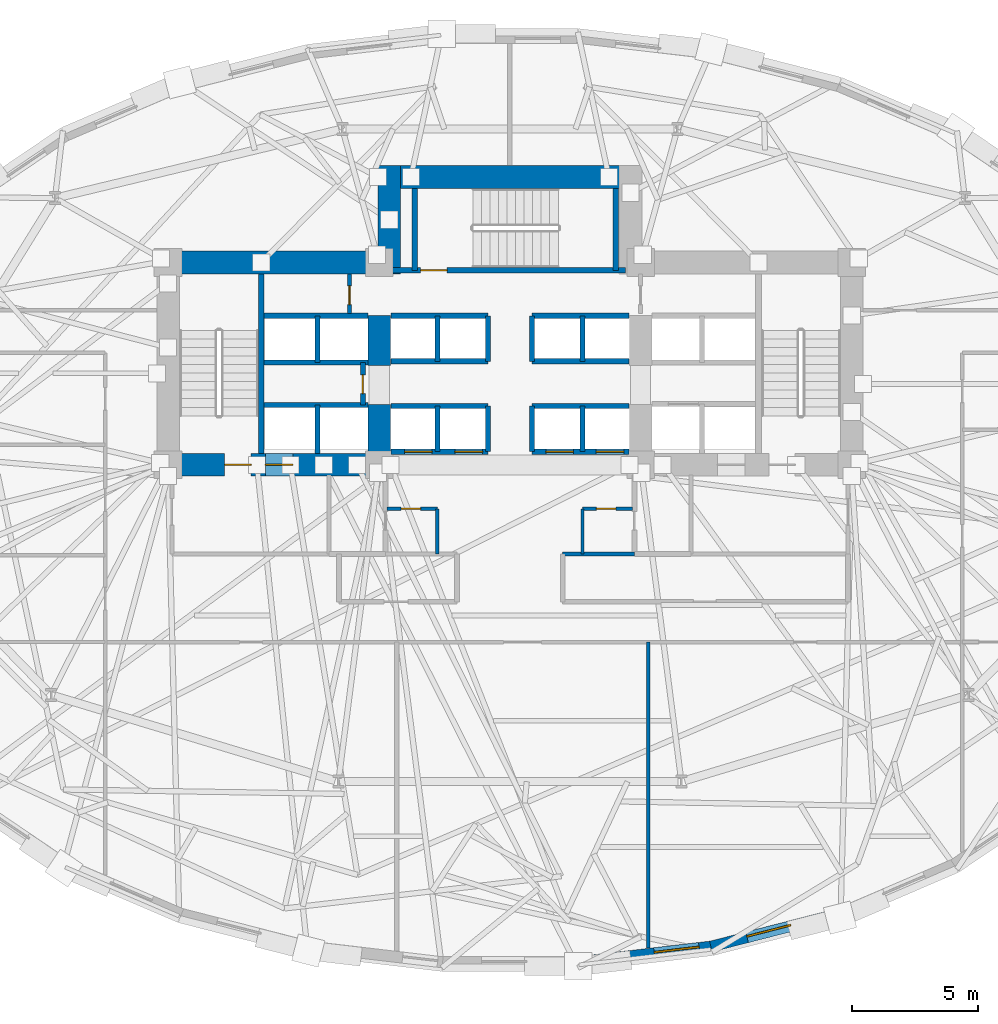
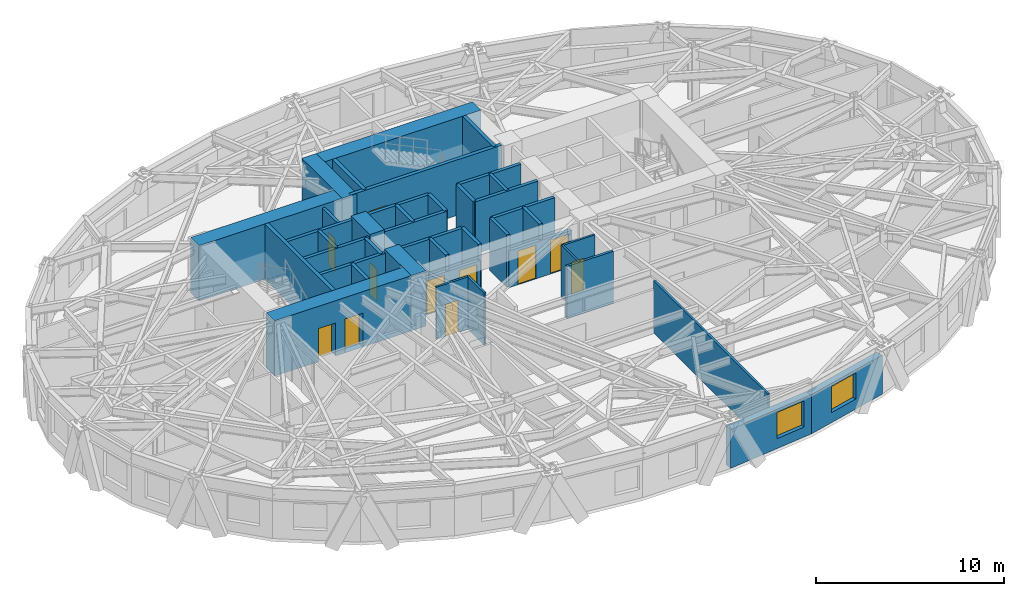
# One storey, part 7 of 13: 41 walls, 11 doors, 2 windows, 13 openings.
"""IFC4 building model written with IfcOpenShell, lengths in metres."""

from ifc_helpers import new_model, si_unit, direction, frame, frame_2d, origin, place, context, subcontext, project, spatial, rectangle, extrude, material, layer, layer_set, type_object, element, fill, save


model = new_model("IFC4")

# Units and contexts
model_context = context("Model", 3, precision=1e-05, world=origin(), true_north=direction((0.0, 1.0)))
body_context = subcontext(model_context, "Body", "Model", "MODEL_VIEW")
ifc_project = project(units=[si_unit("LENGTHUNIT", "METRE"), si_unit("AREAUNIT", "SQUARE_METRE"), si_unit("VOLUMEUNIT", "CUBIC_METRE"), si_unit("PLANEANGLEUNIT", "RADIAN"), si_unit("MASSUNIT", "GRAM", prefix="KILO")], contexts=[model_context])

# Site, building, storey
site_placement = place(None, origin())
site = spatial("IfcSite", under=ifc_project, at=site_placement, CompositionType="ELEMENT")
building_placement = place(site_placement, origin())
building = spatial("IfcBuilding", under=site, at=building_placement, Name="Keldmark Tower", CompositionType="ELEMENT")
storey_placement = place(building_placement, frame((0.0, 0.0, 45.0)))
storey = spatial("IfcBuildingStorey", under=building, at=storey_placement, Name="L11", CompositionType="ELEMENT", Elevation=45.0)

# Wall, opening, door
ifc_material_1 = material(Name="Acoustic Gypsum Board Interior Partition", Category="gypsum")
ifc_layer_1 = layer(ifc_material_1, 0.1298828125)
ifc_layer_set_1 = layer_set([ifc_layer_1], Name="Acoustic Gypsum Board Interior Partition")
wall_type_1 = type_object("IfcWallType", Name="Interior Partition 130 mm", PredefinedType="PARTITIONING", material=ifc_layer_set_1)
wall_1_placement = place(storey_placement, frame((-4.8798828125, -0.35009765625, 0.0), z_axis=(0.0, 0.0, 1.0), x_axis=(1.0, 0.0, 0.0)))
wall_1 = element("IfcWall", 1, at=wall_1_placement, inside=storey, type_object=wall_type_1, Name="L11 Interior Partition 130 mm CSC-W-N", PredefinedType="PARTITIONING", context=body_context, shape_type="SweptSolid", body=[
    extrude(rectangle(XDim=1.989990234375, YDim=0.1298828125, at=frame_2d((0.9951171875, 0.0))), origin(), (0.0, 0.0, 1.0), 3.39990234375),
])
opening_1_placement = place(wall_1_placement, frame((0.550048828125, 0.0, 0.0)))
opening_1 = element("IfcOpeningElement", 2, at=opening_1_placement, cuts=wall_1, Name="Opening D-CL078", PredefinedType="OPENING", context=body_context, shape_type="SweptSolid", body=[
    extrude(rectangle(XDim=0.780029296875, YDim=2.10009765625, at=frame_2d((0.39013671875, 1.050048828125))), frame((0.0, 0.074951171875, 0.0), z_axis=(0.0, -1.0, 0.0), x_axis=(1.0, 0.0, 0.0)), (0.0, 0.0, 1.0), 0.14990234375),
])
ifc_material_2 = material(Name="Flush Utility Closet Timber Door", Category="wood")
door_type_1 = type_object("IfcDoorType", Name="Closet Door 780x2100", OperationType="NOTDEFINED", PredefinedType="DOOR", material=ifc_material_2)
door_1_placement = place(opening_1_placement, origin())
door_1 = element("IfcDoor", 3, at=door_1_placement, inside=storey, type_object=door_type_1, Name="L11 Closet Door 780x2100 D-CSCW1-L11", OperationType="SINGLE_SWING_LEFT", OverallHeight=2.10009765625, OverallWidth=0.780029296875, PredefinedType="DOOR", context=body_context, shape_type="SweptSolid", body=[
    extrude(rectangle(XDim=0.780029296875, YDim=2.10009765625, at=frame_2d((0.39013671875, 1.050048828125))), frame((0.0, 0.02490234375, 0.0), z_axis=(0.0, -1.0, 0.0), x_axis=(1.0, 0.0, 0.0)), (0.0, 0.0, 1.0), 0.050048828125),
])
fill(opening_1, door_1)

# Wall
wall_2_placement = place(storey_placement, frame((-2.889892578125, -2.14990234375, 0.0), z_axis=(0.0, 0.0, 1.0), x_axis=(0.0, 1.0, 0.0)))
element("IfcWall", 4, at=wall_2_placement, inside=storey, type_object=wall_type_1, Name="L11 Interior Partition 130 mm CSC-W-E", PredefinedType="PARTITIONING", context=body_context, shape_type="SweptSolid", body=[
    extrude(rectangle(XDim=1.7998046875, YDim=0.1298828125, at=frame_2d((0.89990234375, 0.0))), origin(), (0.0, 0.0, 1.0), 3.39990234375),
])

# Wall, opening, door
wall_3_placement = place(storey_placement, frame((2.889892578125, -0.35009765625, 0.0), z_axis=(0.0, 0.0, 1.0), x_axis=(1.0, 0.0, 0.0)))
wall_3 = element("IfcWall", 5, at=wall_3_placement, inside=storey, type_object=wall_type_1, Name="L11 Interior Partition 130 mm CSC-E-N", PredefinedType="PARTITIONING", context=body_context, shape_type="SweptSolid", body=[
    extrude(rectangle(XDim=1.989990234375, YDim=0.1298828125, at=frame_2d((0.9951171875, 0.0))), origin(), (0.0, 0.0, 1.0), 3.39990234375),
])
opening_2_placement = place(wall_3_placement, frame((0.550048828125, 0.0, 0.0)))
opening_2 = element("IfcOpeningElement", 6, at=opening_2_placement, cuts=wall_3, Name="Opening D-CL078", PredefinedType="OPENING", context=body_context, shape_type="SweptSolid", body=[
    extrude(rectangle(XDim=0.780029296875, YDim=2.10009765625, at=frame_2d((0.39013671875, 1.050048828125))), frame((0.0, 0.074951171875, 0.0), z_axis=(0.0, -1.0, 0.0), x_axis=(1.0, 0.0, 0.0)), (0.0, 0.0, 1.0), 0.14990234375),
])
door_2_placement = place(opening_2_placement, origin())
door_2 = element("IfcDoor", 7, at=door_2_placement, inside=storey, type_object=door_type_1, Name="L11 Closet Door 780x2100 D-CSCE1-L11", OperationType="SINGLE_SWING_RIGHT", OverallHeight=2.10009765625, OverallWidth=0.780029296875, PredefinedType="DOOR", context=body_context, shape_type="SweptSolid", body=[
    extrude(rectangle(XDim=0.780029296875, YDim=2.10009765625, at=frame_2d((0.39013671875, 1.050048828125))), frame((0.0, 0.02490234375, 0.0), z_axis=(0.0, -1.0, 0.0), x_axis=(1.0, 0.0, 0.0)), (0.0, 0.0, 1.0), 0.050048828125),
])
fill(opening_2, door_2)

# Walls
wall_4_placement = place(storey_placement, frame((2.889892578125, -2.14990234375, 0.0), z_axis=(0.0, 0.0, 1.0), x_axis=(0.0, 1.0, 0.0)))
element("IfcWall", 8, at=wall_4_placement, inside=storey, type_object=wall_type_1, Name="L11 Interior Partition 130 mm CSC-E-W", PredefinedType="PARTITIONING", context=body_context, shape_type="SweptSolid", body=[
    extrude(rectangle(XDim=1.7998046875, YDim=0.1298828125, at=frame_2d((0.89990234375, 0.0))), origin(), (0.0, 0.0, 1.0), 3.39990234375),
])
wall_5_placement = place(storey_placement, frame((5.5, -17.83154296875, 0.0), z_axis=(0.0, 0.0, 1.0), x_axis=(0.0, 1.0, 0.0)))
element("IfcWall", 9, at=wall_5_placement, inside=storey, type_object=wall_type_1, Name="L11 Interior Partition 130 mm S-DIV-2", PredefinedType="PARTITIONING", context=body_context, shape_type="SweptSolid", body=[
    extrude(rectangle(XDim=12.181640625, YDim=0.1298828125, at=frame_2d((6.0908203125, 0.0))), origin(), (0.0, 0.0, 1.0), 3.39990234375),
])
ifc_material_3 = material(Name="Concrete C70/85", Category="concrete")
ifc_layer_2 = layer(ifc_material_3, 0.89990234375)
ifc_layer_set_2 = layer_set([ifc_layer_2], Name="Concrete C70/85")
wall_type_2 = type_object("IfcWallType", Name="Lower Core Shear Wall 900 mm", PredefinedType="SHEAR", material=ifc_layer_set_2)
wall_6_placement = place(storey_placement, frame((-14.050048828125, 9.449951171875, 0.0), z_axis=(0.0, 0.0, 1.0), x_axis=(1.0, 0.0, 0.0)))
element("IfcWall", 10, at=wall_6_placement, inside=storey, type_object=wall_type_2, Name="L11 West Core North Shear Wall", PredefinedType="SHEAR", context=body_context, shape_type="SweptSolid", body=[
    extrude(rectangle(XDim=9.699951171875, YDim=0.89990234375, at=frame_2d((4.85009765625, 0.0))), origin(), (0.0, 0.0, 1.0), 3.60009765625),
])

# Wall, openings, doors
wall_7_placement = place(storey_placement, frame((-4.75, 1.39990234375, 0.0), z_axis=(0.0, 0.0, 1.0), x_axis=(-1.0, 0.0, 0.0)))
wall_7 = element("IfcWall", 11, at=wall_7_placement, inside=storey, type_object=wall_type_2, Name="L11 West Core South Shear Wall", PredefinedType="SHEAR", context=body_context, shape_type="SweptSolid", body=[
    extrude(rectangle(XDim=9.300048828125, YDim=0.89990234375, at=frame_2d((4.64990234375, 0.0))), origin(), (0.0, 0.0, 1.0), 3.60009765625),
])
opening_3_placement = place(wall_7_placement, frame((5.550048828125, 0.0, 0.0)))
opening_3 = element("IfcOpeningElement", 12, at=opening_3_placement, cuts=wall_7, Name="Opening D-ST105", PredefinedType="OPENING", context=body_context, shape_type="SweptSolid", body=[
    extrude(rectangle(XDim=1.050048828125, YDim=2.14990234375, at=frame_2d((0.52490234375, 1.074951171875))), frame((0.0, 0.4599609375, 0.0), z_axis=(0.0, -1.0, 0.0), x_axis=(1.0, 0.0, 0.0)), (0.0, 0.0, 1.0), 0.919921875),
])
opening_4_placement = place(wall_7_placement, frame((3.8798828125, 0.0, 0.0)))
opening_4 = element("IfcOpeningElement", 13, at=opening_4_placement, cuts=wall_7, Name="Opening LD-110", PredefinedType="OPENING", context=body_context, shape_type="SweptSolid", body=[
    extrude(rectangle(XDim=1.10009765625, YDim=2.199951171875, at=frame_2d((0.550048828125, 1.10009765625))), frame((0.0, 0.4599609375, 0.0), z_axis=(0.0, -1.0, 0.0), x_axis=(1.0, 0.0, 0.0)), (0.0, 0.0, 1.0), 0.919921875),
])
ifc_material_4 = material(Name="Brushed Bronze Hoistway Sliding Leaf", Category="metal")
door_type_2 = type_object("IfcDoorType", Name="Lift Landing Sliding Door 1100x2200", OperationType="SLIDING_TO_LEFT", PredefinedType="DOOR", material=ifc_material_4)
door_3_placement = place(opening_4_placement, origin())
door_3 = element("IfcDoor", 14, at=door_3_placement, inside=storey, type_object=door_type_2, Name="L11 Lift Landing Sliding Door 1100x2200 LD-EL-FS1-L11", OperationType="SLIDING_TO_LEFT", OverallHeight=2.199951171875, OverallWidth=1.10009765625, PredefinedType="DOOR", context=body_context, shape_type="SweptSolid", body=[
    extrude(rectangle(XDim=1.10009765625, YDim=2.199951171875, at=frame_2d((0.550048828125, 1.10009765625))), frame((0.0, 0.02490234375, 0.0), z_axis=(0.0, -1.0, 0.0), x_axis=(1.0, 0.0, 0.0)), (0.0, 0.0, 1.0), 0.050048828125),
])
fill(opening_4, door_3)
ifc_material_5 = material(Name="Hollow Metal Fire-Rated Door Assembly", Category="metal")
door_type_3 = type_object("IfcDoorType", Name="Stair Fire Door 1050x2150", OperationType="NOTDEFINED", PredefinedType="DOOR", material=ifc_material_5)
door_4_placement = place(opening_3_placement, origin())
door_4 = element("IfcDoor", 15, at=door_4_placement, inside=storey, type_object=door_type_3, Name="L11 Stair Fire Door 1050x2150 D-ST1-L11", OperationType="SINGLE_SWING_RIGHT", OverallHeight=2.14990234375, OverallWidth=1.050048828125, PredefinedType="DOOR", context=body_context, shape_type="SweptSolid", body=[
    extrude(rectangle(XDim=1.050048828125, YDim=2.14990234375, at=frame_2d((0.52490234375, 1.074951171875))), frame((0.0, 0.02490234375, 0.0), z_axis=(0.0, -1.0, 0.0), x_axis=(1.0, 0.0, 0.0)), (0.0, 0.0, 1.0), 0.050048828125),
])
fill(opening_3, door_4)

# Walls
wall_8_placement = place(storey_placement, frame((-5.199951171875, 0.949951171875, 0.0), z_axis=(0.0, 0.0, 1.0), x_axis=(0.0, 1.0, 0.0)))
element("IfcWall", 16, at=wall_8_placement, inside=storey, type_object=wall_type_2, Name="L11 West Core Inner Shear Pier South", PredefinedType="SHEAR", context=body_context, shape_type="SweptSolid", body=[
    extrude(rectangle(XDim=2.85009765625, YDim=0.89990234375, at=frame_2d((1.425048828125, 0.0))), origin(), (0.0, 0.0, 1.0), 3.60009765625),
])
wall_9_placement = place(storey_placement, frame((-5.199951171875, 5.35009765625, 0.0), z_axis=(0.0, 0.0, 1.0), x_axis=(0.0, 1.0, 0.0)))
element("IfcWall", 17, at=wall_9_placement, inside=storey, type_object=wall_type_2, Name="L11 West Core Inner Shear Pier North", PredefinedType="SHEAR", context=body_context, shape_type="SweptSolid", body=[
    extrude(rectangle(XDim=2.0, YDim=0.89990234375, at=frame_2d((1.0, 0.0))), origin(), (0.0, 0.0, 1.0), 3.60009765625),
])
wall_10_placement = place(storey_placement, frame((-5.25, 12.85009765625, 0.0), z_axis=(0.0, 0.0, 1.0), x_axis=(1.0, 0.0, 0.0)))
element("IfcWall", 18, at=wall_10_placement, inside=storey, type_object=wall_type_2, Name="L11 North Core Shear Wall", PredefinedType="SHEAR", context=body_context, shape_type="SweptSolid", body=[
    extrude(rectangle(XDim=10.5, YDim=0.89990234375, at=frame_2d((5.25, 0.0))), origin(), (0.0, 0.0, 1.0), 3.60009765625),
])
wall_11_placement = place(storey_placement, frame((-4.800048828125, 9.0, 0.0), z_axis=(0.0, 0.0, 1.0), x_axis=(0.0, 1.0, 0.0)))
element("IfcWall", 19, at=wall_11_placement, inside=storey, type_object=wall_type_2, Name="L11 North Core West Shear Wall", PredefinedType="SHEAR", context=body_context, shape_type="SweptSolid", body=[
    extrude(rectangle(XDim=4.300048828125, YDim=0.89990234375, at=frame_2d((2.14990234375, 0.0))), origin(), (0.0, 0.0, 1.0), 3.60009765625),
])

# Wall, opening, door
ifc_material_6 = material(Name="Type X Fire-Rated Gypsum Partition Assembly", Category="gypsum")
ifc_layer_3 = layer(ifc_material_6, 0.1650390625)
ifc_layer_set_3 = layer_set([ifc_layer_3], Name="Type X Fire-Rated Gypsum Partition Assembly")
wall_type_3 = type_object("IfcWallType", Name="Rated Partition 165 mm", PredefinedType="PARTITIONING", material=ifc_layer_set_3)
wall_12_placement = place(storey_placement, frame((-6.3798828125, 7.419921875, 0.0), z_axis=(0.0, 0.0, 1.0), x_axis=(0.0, 1.0, 0.0)))
wall_12 = element("IfcWall", 20, at=wall_12_placement, inside=storey, type_object=wall_type_3, Name="L11 Rated Partition 165 mm CS-NW-E", PredefinedType="PARTITIONING", context=body_context, shape_type="SweptSolid", body=[
    extrude(rectangle(XDim=1.580078125, YDim=0.1650390625, at=frame_2d((0.7900390625, 0.0))), origin(), (0.0, 0.0, 1.0), 3.39990234375),
])
opening_5_placement = place(wall_12_placement, frame((0.35009765625, 0.0, 0.0)))
opening_5 = element("IfcOpeningElement", 21, at=opening_5_placement, cuts=wall_12, Name="Opening D-RS075", PredefinedType="OPENING", context=body_context, shape_type="SweptSolid", body=[
    extrude(rectangle(XDim=0.75, YDim=2.10009765625, at=frame_2d((0.375, 1.050048828125))), frame((0.0, 0.092529296875, 0.0), z_axis=(0.0, -1.0, 0.0), x_axis=(1.0, 0.0, 0.0)), (0.0, 0.0, 1.0), 0.18505859375),
])
ifc_material_7 = material(Name="Galvanized Fire-Rated Access Leaf", Category="metal")
door_type_4 = type_object("IfcDoorType", Name="Riser Access Door 750x2100", OperationType="NOTDEFINED", PredefinedType="DOOR", material=ifc_material_7)
door_5_placement = place(opening_5_placement, origin())
door_5 = element("IfcDoor", 22, at=door_5_placement, inside=storey, type_object=door_type_4, Name="L11 Riser Access Door 750x2100 D-CSNW1-L11", OperationType="SINGLE_SWING_RIGHT", OverallHeight=2.10009765625, OverallWidth=0.75, PredefinedType="DOOR", context=body_context, shape_type="SweptSolid", body=[
    extrude(rectangle(XDim=0.75, YDim=2.10009765625, at=frame_2d((0.375, 1.050048828125))), frame((0.0, 0.02490234375, 0.0), z_axis=(0.0, -1.0, 0.0), x_axis=(1.0, 0.0, 0.0)), (0.0, 0.0, 1.0), 0.050048828125),
])
fill(opening_5, door_5)

# Walls
ifc_material_8 = material(Name="Fire-Resistant Type X Gypsum Shaftliner Coreboard", Category="gypsum")
ifc_layer_4 = layer(ifc_material_8, 0.199951171875)
ifc_layer_set_4 = layer_set([ifc_layer_4], Name="Fire-Resistant Type X Gypsum Shaftliner Coreboard")
wall_type_4 = type_object("IfcWallType", Name="Shaft Wall 200 mm", PredefinedType="SOLIDWALL", material=ifc_layer_set_4)
wall_13_placement = place(storey_placement, frame((-9.780029296875, 3.780029296875, 0.0), z_axis=(0.0, 0.0, 1.0), x_axis=(1.0, 0.0, 0.0)))
element("IfcWall", 23, at=wall_13_placement, inside=storey, type_object=wall_type_4, Name="L11 Shaft Wall 200 mm HW-W-S", PredefinedType="SOLIDWALL", context=body_context, shape_type="SweptSolid", body=[
    extrude(rectangle(XDim=4.130126953125, YDim=0.199951171875, at=frame_2d((2.06494140625, 0.0))), origin(), (0.0, 0.0, 1.0), 3.39990234375),
])
wall_14_placement = place(storey_placement, frame((-7.64990234375, 1.85009765625, 0.0), z_axis=(0.0, 0.0, 1.0), x_axis=(0.0, 1.0, 0.0)))
element("IfcWall", 24, at=wall_14_placement, inside=storey, type_object=wall_type_4, Name="L11 Shaft Wall 200 mm HW-W-M", PredefinedType="SOLIDWALL", context=body_context, shape_type="SweptSolid", body=[
    extrude(rectangle(XDim=1.929931640625, YDim=0.199951171875, at=frame_2d((0.96484375, 0.0))), origin(), (0.0, 0.0, 1.0), 3.39990234375),
])
for number, where, z_axis, x_axis, name in (
    (25, (-9.780029296875, 5.469970703125, 0.0), (0.0, 0.0, 1.0), (1.0, 0.0, 0.0), "L11 Shaft Wall 200 mm HW-W-N"),
    (26, (-9.780029296875, 7.330078125, 0.0), (0.0, 0.0, 1.0), (1.0, 0.0, 0.0), "L11 Shaft Wall 200 mm HW-W-TOP"),
):
    element("IfcWall", number, at=place(storey_placement, frame(where, z_axis=z_axis, x_axis=x_axis)), inside=storey, type_object=wall_type_4, Name=name, PredefinedType="SOLIDWALL", context=body_context, shape_type="SweptSolid", body=[
        extrude(rectangle(XDim=4.130126953125, YDim=0.199951171875, at=frame_2d((2.06494140625, 0.0))), origin(), (0.0, 0.0, 1.0), 3.39990234375),
    ])
wall_15_placement = place(storey_placement, frame((-7.64990234375, 5.469970703125, 0.0), z_axis=(0.0, 0.0, 1.0), x_axis=(0.0, 1.0, 0.0)))
element("IfcWall", 27, at=wall_15_placement, inside=storey, type_object=wall_type_4, Name="L11 Shaft Wall 200 mm HW-W-NM", PredefinedType="SOLIDWALL", context=body_context, shape_type="SweptSolid", body=[
    extrude(rectangle(XDim=1.860107421875, YDim=0.199951171875, at=frame_2d((0.93017578125, 0.0))), origin(), (0.0, 0.0, 1.0), 3.39990234375),
])

# Wall, opening, door
wall_16_placement = place(storey_placement, frame((-5.85009765625, 3.780029296875, 0.0), z_axis=(0.0, 0.0, 1.0), x_axis=(0.0, 1.0, 0.0)))
wall_16 = element("IfcWall", 28, at=wall_16_placement, inside=storey, type_object=wall_type_4, Name="L11 Shaft Wall 200 mm HW-W-CLOSE", PredefinedType="SOLIDWALL", context=body_context, shape_type="SweptSolid", body=[
    extrude(rectangle(XDim=1.68994140625, YDim=0.199951171875, at=frame_2d((0.844970703125, 0.0))), origin(), (0.0, 0.0, 1.0), 3.39990234375),
])
opening_6_placement = place(wall_16_placement, frame((0.449951171875, 0.0, 0.0)))
opening_6 = element("IfcOpeningElement", 29, at=opening_6_placement, cuts=wall_16, Name="Opening D-RS075", PredefinedType="OPENING", context=body_context, shape_type="SweptSolid", body=[
    extrude(rectangle(XDim=0.75, YDim=2.10009765625, at=frame_2d((0.375, 1.050048828125))), frame((0.0, 0.10986328125, 0.0), z_axis=(0.0, -1.0, 0.0), x_axis=(1.0, 0.0, 0.0)), (0.0, 0.0, 1.0), 0.219970703125),
])
door_6_placement = place(opening_6_placement, origin())
door_6 = element("IfcDoor", 30, at=door_6_placement, inside=storey, type_object=door_type_4, Name="L11 Riser Access Door 750x2100 D-RISHW-L11", OperationType="SINGLE_SWING_RIGHT", OverallHeight=2.10009765625, OverallWidth=0.75, PredefinedType="DOOR", context=body_context, shape_type="SweptSolid", body=[
    extrude(rectangle(XDim=0.75, YDim=2.10009765625, at=frame_2d((0.375, 1.050048828125))), frame((0.0, 0.02490234375, 0.0), z_axis=(0.0, -1.0, 0.0), x_axis=(1.0, 0.0, 0.0)), (0.0, 0.0, 1.0), 0.050048828125),
])
fill(opening_6, door_6)

# Wall, openings, doors
wall_17_placement = place(storey_placement, frame((-4.739990234375, 1.919921875, 0.0), z_axis=(0.0, 0.0, 1.0), x_axis=(1.0, 0.0, 0.0)))
wall_17 = element("IfcWall", 31, at=wall_17_placement, inside=storey, type_object=wall_type_4, Name="L11 Shaft Wall 200 mm LOW-S-W", PredefinedType="SOLIDWALL", context=body_context, shape_type="SweptSolid", body=[
    extrude(rectangle(XDim=3.860107421875, YDim=0.199951171875, at=frame_2d((1.93017578125, 0.0))), origin(), (0.0, 0.0, 1.0), 2.389892578125),
])
opening_7_placement = place(wall_17_placement, frame((0.550048828125, 0.0, 0.0)))
opening_7 = element("IfcOpeningElement", 32, at=opening_7_placement, cuts=wall_17, Name="Opening LD-110", PredefinedType="OPENING", context=body_context, shape_type="SweptSolid", body=[
    extrude(rectangle(XDim=1.10009765625, YDim=2.199951171875, at=frame_2d((0.550048828125, 1.10009765625))), frame((0.0, 0.10986328125, 0.0), z_axis=(0.0, -1.0, 0.0), x_axis=(1.0, 0.0, 0.0)), (0.0, 0.0, 1.0), 0.219970703125),
])
opening_8_placement = place(wall_17_placement, frame((2.550048828125, 0.0, 0.0)))
opening_8 = element("IfcOpeningElement", 33, at=opening_8_placement, cuts=wall_17, Name="Opening LD-110", PredefinedType="OPENING", context=body_context, shape_type="SweptSolid", body=[
    extrude(rectangle(XDim=1.10009765625, YDim=2.199951171875, at=frame_2d((0.550048828125, 1.10009765625))), frame((0.0, 0.10986328125, 0.0), z_axis=(0.0, -1.0, 0.0), x_axis=(1.0, 0.0, 0.0)), (0.0, 0.0, 1.0), 0.219970703125),
])
door_7_placement = place(opening_7_placement, origin())
door_7 = element("IfcDoor", 34, at=door_7_placement, inside=storey, type_object=door_type_2, Name="L11 Lift Landing Sliding Door 1100x2200 LD-EL-L1-L11", OperationType="SLIDING_TO_LEFT", OverallHeight=2.199951171875, OverallWidth=1.10009765625, PredefinedType="DOOR", context=body_context, shape_type="SweptSolid", body=[
    extrude(rectangle(XDim=1.10009765625, YDim=2.199951171875, at=frame_2d((0.550048828125, 1.10009765625))), frame((0.0, 0.02490234375, 0.0), z_axis=(0.0, -1.0, 0.0), x_axis=(1.0, 0.0, 0.0)), (0.0, 0.0, 1.0), 0.050048828125),
])
fill(opening_7, door_7)
door_8_placement = place(opening_8_placement, origin())
door_8 = element("IfcDoor", 35, at=door_8_placement, inside=storey, type_object=door_type_2, Name="L11 Lift Landing Sliding Door 1100x2200 LD-EL-L2-L11", OperationType="SLIDING_TO_LEFT", OverallHeight=2.199951171875, OverallWidth=1.10009765625, PredefinedType="DOOR", context=body_context, shape_type="SweptSolid", body=[
    extrude(rectangle(XDim=1.10009765625, YDim=2.199951171875, at=frame_2d((0.550048828125, 1.10009765625))), frame((0.0, 0.02490234375, 0.0), z_axis=(0.0, -1.0, 0.0), x_axis=(1.0, 0.0, 0.0)), (0.0, 0.0, 1.0), 0.050048828125),
])
fill(opening_8, door_8)

wall_18_placement = place(storey_placement, frame((0.8798828125, 1.919921875, 0.0), z_axis=(0.0, 0.0, 1.0), x_axis=(1.0, 0.0, 0.0)))
wall_18 = element("IfcWall", 36, at=wall_18_placement, inside=storey, type_object=wall_type_4, Name="L11 Shaft Wall 200 mm LOW-S-E", PredefinedType="SOLIDWALL", context=body_context, shape_type="SweptSolid", body=[
    extrude(rectangle(XDim=3.860107421875, YDim=0.199951171875, at=frame_2d((1.93017578125, 0.0))), origin(), (0.0, 0.0, 1.0), 2.389892578125),
])
opening_9_placement = place(wall_18_placement, frame((0.550048828125, 0.0, 0.0)))
opening_9 = element("IfcOpeningElement", 37, at=opening_9_placement, cuts=wall_18, Name="Opening LD-110", PredefinedType="OPENING", context=body_context, shape_type="SweptSolid", body=[
    extrude(rectangle(XDim=1.10009765625, YDim=2.199951171875, at=frame_2d((0.550048828125, 1.10009765625))), frame((0.0, 0.10986328125, 0.0), z_axis=(0.0, -1.0, 0.0), x_axis=(1.0, 0.0, 0.0)), (0.0, 0.0, 1.0), 0.219970703125),
])
opening_10_placement = place(wall_18_placement, frame((2.550048828125, 0.0, 0.0)))
opening_10 = element("IfcOpeningElement", 38, at=opening_10_placement, cuts=wall_18, Name="Opening LD-110", PredefinedType="OPENING", context=body_context, shape_type="SweptSolid", body=[
    extrude(rectangle(XDim=1.10009765625, YDim=2.199951171875, at=frame_2d((0.550048828125, 1.10009765625))), frame((0.0, 0.10986328125, 0.0), z_axis=(0.0, -1.0, 0.0), x_axis=(1.0, 0.0, 0.0)), (0.0, 0.0, 1.0), 0.219970703125),
])
door_9_placement = place(opening_9_placement, origin())
door_9 = element("IfcDoor", 39, at=door_9_placement, inside=storey, type_object=door_type_2, Name="L11 Lift Landing Sliding Door 1100x2200 LD-EL-L3-L11", OperationType="SLIDING_TO_LEFT", OverallHeight=2.199951171875, OverallWidth=1.10009765625, PredefinedType="DOOR", context=body_context, shape_type="SweptSolid", body=[
    extrude(rectangle(XDim=1.10009765625, YDim=2.199951171875, at=frame_2d((0.550048828125, 1.10009765625))), frame((0.0, 0.02490234375, 0.0), z_axis=(0.0, -1.0, 0.0), x_axis=(1.0, 0.0, 0.0)), (0.0, 0.0, 1.0), 0.050048828125),
])
fill(opening_9, door_9)
door_10_placement = place(opening_10_placement, origin())
door_10 = element("IfcDoor", 40, at=door_10_placement, inside=storey, type_object=door_type_2, Name="L11 Lift Landing Sliding Door 1100x2200 LD-EL-L4-L11", OperationType="SLIDING_TO_LEFT", OverallHeight=2.199951171875, OverallWidth=1.10009765625, PredefinedType="DOOR", context=body_context, shape_type="SweptSolid", body=[
    extrude(rectangle(XDim=1.10009765625, YDim=2.199951171875, at=frame_2d((0.550048828125, 1.10009765625))), frame((0.0, 0.02490234375, 0.0), z_axis=(0.0, -1.0, 0.0), x_axis=(1.0, 0.0, 0.0)), (0.0, 0.0, 1.0), 0.050048828125),
])
fill(opening_10, door_10)

# Walls
for number, where, z_axis, x_axis, name in (
    (41, (-4.739990234375, 3.739990234375, 0.0), (0.0, 0.0, 1.0), (1.0, 0.0, 0.0), "L11 Shaft Wall 200 mm LOW-N-W"),
    (42, (0.8798828125, 3.739990234375, 0.0), (0.0, 0.0, 1.0), (1.0, 0.0, 0.0), "L11 Shaft Wall 200 mm LOW-N-E"),
):
    element("IfcWall", number, at=place(storey_placement, frame(where, z_axis=z_axis, x_axis=x_axis)), inside=storey, type_object=wall_type_4, Name=name, PredefinedType="SOLIDWALL", context=body_context, shape_type="SweptSolid", body=[
        extrude(rectangle(XDim=3.860107421875, YDim=0.199951171875, at=frame_2d((1.93017578125, 0.0))), origin(), (0.0, 0.0, 1.0), 3.39990234375),
    ])
for number, where, z_axis, x_axis, name in (
    (43, (-2.8798828125, 1.919921875, 0.0), (0.0, 0.0, 1.0), (0.0, 1.0, 0.0), "L11 Shaft Wall 200 mm LOW-M-W"),
    (44, (2.8798828125, 1.919921875, 0.0), (0.0, 0.0, 1.0), (0.0, 1.0, 0.0), "L11 Shaft Wall 200 mm LOW-M-E"),
    (45, (-0.8798828125, 1.919921875, 0.0), (0.0, 0.0, 1.0), (0.0, 1.0, 0.0), "L11 Shaft Wall 200 mm LOW-C-W"),
    (46, (0.8798828125, 1.919921875, 0.0), (0.0, 0.0, 1.0), (0.0, 1.0, 0.0), "L11 Shaft Wall 200 mm LOW-C-E"),
):
    element("IfcWall", number, at=place(storey_placement, frame(where, z_axis=z_axis, x_axis=x_axis)), inside=storey, type_object=wall_type_4, Name=name, PredefinedType="SOLIDWALL", context=body_context, shape_type="SweptSolid", body=[
        extrude(rectangle(XDim=1.820068359375, YDim=0.199951171875, at=frame_2d((0.91015625, 0.0))), origin(), (0.0, 0.0, 1.0), 3.39990234375),
    ])
for number, where, z_axis, x_axis, name in (
    (47, (-4.739990234375, 5.52001953125, 0.0), (0.0, 0.0, 1.0), (1.0, 0.0, 0.0), "L11 Shaft Wall 200 mm MID-S-W"),
    (48, (0.8798828125, 5.52001953125, 0.0), (0.0, 0.0, 1.0), (1.0, 0.0, 0.0), "L11 Shaft Wall 200 mm MID-S-E"),
    (49, (-4.739990234375, 7.330078125, 0.0), (0.0, 0.0, 1.0), (1.0, 0.0, 0.0), "L11 Shaft Wall 200 mm MID-N-W"),
    (50, (0.8798828125, 7.330078125, 0.0), (0.0, 0.0, 1.0), (1.0, 0.0, 0.0), "L11 Shaft Wall 200 mm MID-N-E"),
):
    element("IfcWall", number, at=place(storey_placement, frame(where, z_axis=z_axis, x_axis=x_axis)), inside=storey, type_object=wall_type_4, Name=name, PredefinedType="SOLIDWALL", context=body_context, shape_type="SweptSolid", body=[
        extrude(rectangle(XDim=3.860107421875, YDim=0.199951171875, at=frame_2d((1.93017578125, 0.0))), origin(), (0.0, 0.0, 1.0), 3.39990234375),
    ])
for number, where, z_axis, x_axis, name in (
    (51, (-2.8798828125, 5.52001953125, 0.0), (0.0, 0.0, 1.0), (0.0, 1.0, 0.0), "L11 Shaft Wall 200 mm MID-M-W"),
    (52, (2.8798828125, 5.52001953125, 0.0), (0.0, 0.0, 1.0), (0.0, 1.0, 0.0), "L11 Shaft Wall 200 mm MID-M-E"),
    (53, (-0.8798828125, 5.52001953125, 0.0), (0.0, 0.0, 1.0), (0.0, 1.0, 0.0), "L11 Shaft Wall 200 mm MID-C-W"),
    (54, (0.8798828125, 5.52001953125, 0.0), (0.0, 0.0, 1.0), (0.0, 1.0, 0.0), "L11 Shaft Wall 200 mm MID-C-E"),
):
    element("IfcWall", number, at=place(storey_placement, frame(where, z_axis=z_axis, x_axis=x_axis)), inside=storey, type_object=wall_type_4, Name=name, PredefinedType="SOLIDWALL", context=body_context, shape_type="SweptSolid", body=[
        extrude(rectangle(XDim=1.81005859375, YDim=0.199951171875, at=frame_2d((0.905029296875, 0.0))), origin(), (0.0, 0.0, 1.0), 3.39990234375),
    ])
ifc_material_9 = material(Name="Concrete C50/60", Category="concrete")
ifc_layer_5 = layer(ifc_material_9, 0.219970703125)
ifc_layer_set_5 = layer_set([ifc_layer_5], Name="Concrete C50/60")
wall_type_5 = type_object("IfcWallType", Name="Stair Core Shear Wall 220 mm", PredefinedType="SHEAR", material=ifc_layer_set_5)
wall_19_placement = place(storey_placement, frame((-9.889892578125, 1.85009765625, 0.0), z_axis=(0.0, 0.0, 1.0), x_axis=(0.0, 1.0, 0.0)))
element("IfcWall", 55, at=wall_19_placement, inside=storey, type_object=wall_type_5, Name="L11 West Stair Core Shear Wall", PredefinedType="SHEAR", context=body_context, shape_type="SweptSolid", body=[
    extrude(rectangle(XDim=7.14990234375, YDim=0.219970703125, at=frame_2d((3.574951171875, 0.0))), origin(), (0.0, 0.0, 1.0), 3.60009765625),
])

# Wall, opening, door
wall_20_placement = place(storey_placement, frame((-4.699951171875, 9.139892578125, 0.0), z_axis=(0.0, 0.0, 1.0), x_axis=(1.0, 0.0, 0.0)))
wall_20 = element("IfcWall", 56, at=wall_20_placement, inside=storey, type_object=wall_type_5, Name="L11 Central Stair Core South Shear Wall", PredefinedType="SHEAR", context=body_context, shape_type="SweptSolid", body=[
    extrude(rectangle(XDim=9.300048828125, YDim=0.219970703125, at=frame_2d((4.64990234375, 0.0))), origin(), (0.0, 0.0, 1.0), 3.60009765625),
])
opening_11_placement = place(wall_20_placement, frame((1.14990234375, 0.0, 0.0)))
opening_11 = element("IfcOpeningElement", 57, at=opening_11_placement, cuts=wall_20, Name="Opening D-ST105", PredefinedType="OPENING", context=body_context, shape_type="SweptSolid", body=[
    extrude(rectangle(XDim=1.050048828125, YDim=2.14990234375, at=frame_2d((0.52490234375, 1.074951171875))), frame((0.0, 0.119873046875, 0.0), z_axis=(0.0, -1.0, 0.0), x_axis=(1.0, 0.0, 0.0)), (0.0, 0.0, 1.0), 0.239990234375),
])
door_11_placement = place(opening_11_placement, origin())
door_11 = element("IfcDoor", 58, at=door_11_placement, inside=storey, type_object=door_type_3, Name="L11 Stair Fire Door 1050x2150 D-ST3-L11", OperationType="SINGLE_SWING_RIGHT", OverallHeight=2.14990234375, OverallWidth=1.050048828125, PredefinedType="DOOR", context=body_context, shape_type="SweptSolid", body=[
    extrude(rectangle(XDim=1.050048828125, YDim=2.14990234375, at=frame_2d((0.52490234375, 1.074951171875))), frame((0.0, 0.02490234375, 0.0), z_axis=(0.0, -1.0, 0.0), x_axis=(1.0, 0.0, 0.0)), (0.0, 0.0, 1.0), 0.050048828125),
])
fill(opening_11, door_11)

# Walls
for number, where, z_axis, x_axis, name in (
    (59, (-3.784912109375, 9.139892578125, 0.0), (0.0, 0.0, 1.0), (0.0, 1.0, 0.0), "L11 Central Stair Core West Shear Wall"),
    (60, (4.215087890625, 9.139892578125, 0.0), (0.0, 0.0, 1.0), (0.0, 1.0, 0.0), "L11 Central Stair Core East Shear Wall"),
):
    element("IfcWall", number, at=place(storey_placement, frame(where, z_axis=z_axis, x_axis=x_axis)), inside=storey, type_object=wall_type_5, Name=name, PredefinedType="SHEAR", context=body_context, shape_type="SweptSolid", body=[
        extrude(rectangle(XDim=3.260009765625, YDim=0.219970703125, at=frame_2d((1.6298828125, 0.0))), origin(), (0.0, 0.0, 1.0), 3.60009765625),
    ])

# Wall, opening, window
ifc_material_10 = material(Name="Ironspot Manganese Brick and Kasota Buff Limestone Spandrel Assembly", Category="masonry")
ifc_layer_6 = layer(ifc_material_10, 0.43994140625)
ifc_layer_set_6 = layer_set([ifc_layer_6], Name="Ironspot Manganese Brick and Kasota Buff Limestone Spandrel Assembly")
wall_type_6 = type_object("IfcWallType", Name="Tower Brick Pier and Spandrel Wall 440 mm", PredefinedType="STANDARD", material=ifc_layer_set_6)
wall_21_placement = place(storey_placement, frame((8.024658203125, -17.76416015625, 0.0), z_axis=(0.0, 0.0, 1.0), x_axis=(-0.993159890371, -0.116762289112, 0.0)))
wall_21 = element("IfcWall", 61, at=wall_21_placement, inside=storey, type_object=wall_type_6, Name="L11 Exterior Brick and Spandrel Wall 25", PredefinedType="STANDARD", context=body_context, shape_type="SweptSolid", body=[
    extrude(rectangle(XDim=5.382080078125, YDim=0.43994140625, at=frame_2d((2.69091796875, 0.0))), origin(), (0.0, 0.0, 1.0), 2.529052734375),
])
opening_12_placement = place(wall_21_placement, frame((0.498291015625, 0.0, 0.64990234375)))
opening_12 = element("IfcOpeningElement", 62, at=opening_12_placement, cuts=wall_21, Name="Opening W-02", PredefinedType="OPENING", context=body_context, shape_type="SweptSolid", body=[
    extrude(rectangle(XDim=1.800048828125, YDim=1.699951171875, at=frame_2d((0.89990234375, 0.85009765625))), frame((0.0, 0.22998046875, 0.0), z_axis=(0.0, -1.0, 0.0), x_axis=(1.0, 0.0, 0.0)), (0.0, 0.0, 1.0), 0.4599609375),
])
ifc_material_11 = material(Name="Thermally Broken Anodized Aluminum and Triple Low-E Argon Glazing", Category="aluminium")
window_type = type_object("IfcWindowType", Name="Office Deep-Set Triple Window 1800x1700", PartitioningType="TRIPLE_PANEL_VERTICAL", PredefinedType="WINDOW", material=ifc_material_11)
window_1_placement = place(opening_12_placement, origin())
window_1 = element("IfcWindow", 63, at=window_1_placement, inside=storey, type_object=window_type, Name="L11 Deep-Set Window 25", OverallHeight=1.699951171875, OverallWidth=1.800048828125, PartitioningType="SINGLE_PANEL", PredefinedType="WINDOW", context=body_context, shape_type="SweptSolid", body=[
    extrude(rectangle(XDim=1.800048828125, YDim=1.699951171875, at=frame_2d((0.89990234375, 0.85009765625))), frame((0.0, -0.010009765625, 0.0), z_axis=(0.0, -1.0, 0.0), x_axis=(1.0, 0.0, 0.0)), (0.0, 0.0, 1.0), 0.06005859375),
])
fill(opening_12, window_1)

wall_22_placement = place(storey_placement, frame((13.098876953125, -16.4619140625, 0.0), z_axis=(0.0, 0.0, 1.0), x_axis=(-0.968705592422, -0.248212560542, 0.0)))
wall_22 = element("IfcWall", 64, at=wall_22_placement, inside=storey, type_object=wall_type_6, Name="L11 Exterior Brick and Spandrel Wall 26", PredefinedType="STANDARD", context=body_context, shape_type="SweptSolid", body=[
    extrude(rectangle(XDim=5.26806640625, YDim=0.43994140625, at=frame_2d((2.634033203125, 0.0))), origin(), (0.0, 0.0, 1.0), 2.529052734375),
])
opening_13_placement = place(wall_22_placement, frame((1.9814453125, 0.0, 0.64990234375)))
opening_13 = element("IfcOpeningElement", 65, at=opening_13_placement, cuts=wall_22, Name="Opening W-02", PredefinedType="OPENING", context=body_context, shape_type="SweptSolid", body=[
    extrude(rectangle(XDim=1.800048828125, YDim=1.699951171875, at=frame_2d((0.89990234375, 0.85009765625))), frame((0.0, 0.22998046875, 0.0), z_axis=(0.0, -1.0, 0.0), x_axis=(1.0, 0.0, 0.0)), (0.0, 0.0, 1.0), 0.4599609375),
])
window_2_placement = place(opening_13_placement, origin())
window_2 = element("IfcWindow", 66, at=window_2_placement, inside=storey, type_object=window_type, Name="L11 Deep-Set Window 26", OverallHeight=1.699951171875, OverallWidth=1.800048828125, PartitioningType="SINGLE_PANEL", PredefinedType="WINDOW", context=body_context, shape_type="SweptSolid", body=[
    extrude(rectangle(XDim=1.800048828125, YDim=1.699951171875, at=frame_2d((0.89990234375, 0.85009765625))), frame((0.0, -0.010009765625, 0.0), z_axis=(0.0, -1.0, 0.0), x_axis=(1.0, 0.0, 0.0)), (0.0, 0.0, 1.0), 0.06005859375),
])
fill(opening_13, window_2)

# Wall
ifc_material_12 = material(Name="Moisture-Resistant Gypsum Plumbing Partition", Category="gypsum")
ifc_layer_7 = layer(ifc_material_12, 0.14990234375)
ifc_layer_set_7 = layer_set([ifc_layer_7], Name="Moisture-Resistant Gypsum Plumbing Partition")
wall_type_7 = type_object("IfcWallType", Name="Wet Wall 150 mm", PredefinedType="PLUMBINGWALL", material=ifc_layer_set_7)
wall_23_placement = place(storey_placement, frame((2.10009765625, -2.14990234375, 0.0), z_axis=(0.0, 0.0, 1.0), x_axis=(1.0, 0.0, 0.0)))
element("IfcWall", 67, at=wall_23_placement, inside=storey, type_object=wall_type_7, Name="L11 Wet Wall 150 mm SPK-E-N", PredefinedType="PLUMBINGWALL", context=body_context, shape_type="SweptSolid", body=[
    extrude(rectangle(XDim=2.849853515625, YDim=0.14990234375, at=frame_2d((1.4248046875, 0.0))), origin(), (0.0, 0.0, 1.0), 3.39990234375),
])

save(model, "model.ifc")
